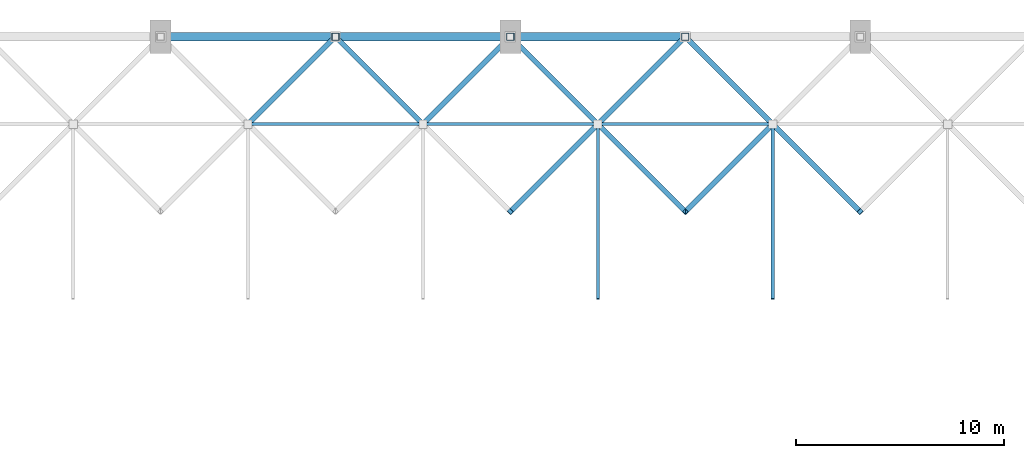
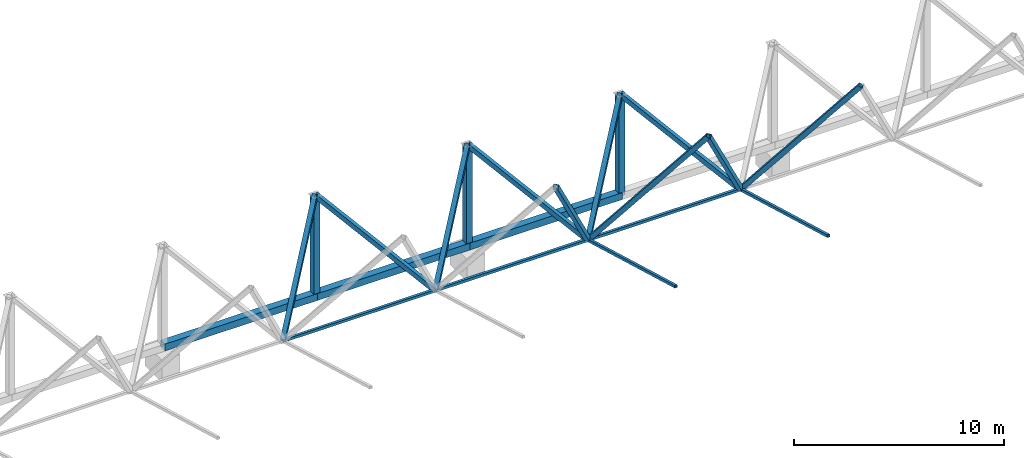
# One storey, part 58 of 163: 21 members.
"""IFC4 building model written with IfcOpenShell, lengths in metres."""

from ifc_helpers import new_model, si_unit, direction, frame, origin, origin_2d, place, context, subcontext, project, spatial, hollow_rectangle, extrude, material, material_profile, profile_set, type_object, element, save


model = new_model("IFC4")

# Units and contexts
model_context = context("Model", 3, precision=1e-05, world=origin(), true_north=direction((0.0, 1.0)))
body_context = subcontext(model_context, "Body", "Model", "MODEL_VIEW")
ifc_project = project(units=[si_unit("LENGTHUNIT", "METRE"), si_unit("AREAUNIT", "SQUARE_METRE"), si_unit("VOLUMEUNIT", "CUBIC_METRE"), si_unit("PLANEANGLEUNIT", "RADIAN"), si_unit("MASSUNIT", "GRAM", prefix="KILO")], contexts=[model_context])

# Site, building, storey
site_placement = place(None, origin())
site = spatial("IfcSite", under=ifc_project, at=site_placement, CompositionType="ELEMENT")
building_placement = place(site_placement, origin())
building = spatial("IfcBuilding", under=site, at=building_placement, Name="Rain Tree Exposition and Congress Centre", CompositionType="ELEMENT")
storey_placement = place(building_placement, frame((0.0, 0.0, 10.5)))
storey = spatial("IfcBuildingStorey", under=building, at=storey_placement, Name="L02", CompositionType="ELEMENT", Elevation=10.5)

# Members
ifc_material_1 = material(Name="Steel S355J2H", Category="steel")
ifc_material_profile_1 = material_profile(ifc_material_1, hollow_rectangle(XDim=0.25, YDim=0.25, WallThickness=0.006103515625, at=origin_2d()), Name="RHS 250x250x6")
ifc_profile_set_1 = profile_set([ifc_material_profile_1], Name="Steel S355J2H")
member_type_1 = type_object("IfcMemberType", Name="Steel brace member RHS 250x250x6", PredefinedType="BRACE", material=ifc_profile_set_1)
member_1_placement = place(storey_placement, frame((46.199951171875, 197.39990234375, 2.87353515625), z_axis=(0.564676675678, 0.564709499992, 0.601866623567), x_axis=(-0.707127332136, 0.70708622964, 0.0)))
element("IfcMember", 1, at=member_1_placement, inside=storey, type_object=member_type_1, Name="Diagonal 1299", PredefinedType="BRACE", context=body_context, shape_type="SweptSolid", body=[
    extrude(hollow_rectangle(XDim=0.25, YDim=0.25, WallThickness=0.006103515625, at=origin_2d()), origin(), (0.0, 0.0, 1.0), 7.437744140625),
])
member_2_placement = place(storey_placement, frame((54.60009765625, 197.39990234375, 2.87353515625), z_axis=(-0.564699033018, 0.564699033018, 0.60185546788), x_axis=(-0.707106781187, -0.707106781187, 0.0)))
element("IfcMember", 2, at=member_2_placement, inside=storey, type_object=member_type_1, Name="Diagonal 1303", PredefinedType="BRACE", context=body_context, shape_type="SweptSolid", body=[
    extrude(hollow_rectangle(XDim=0.25, YDim=0.25, WallThickness=0.006103515625, at=origin_2d()), origin(), (0.0, 0.0, 1.0), 7.43798828125),
])
member_3_placement = place(storey_placement, frame((54.60009765625, 197.39990234375, 2.87353515625), z_axis=(0.564676675678, 0.564709499992, 0.601866623567), x_axis=(-0.707127332136, 0.70708622964, 0.0)))
element("IfcMember", 3, at=member_3_placement, inside=storey, type_object=member_type_1, Name="Diagonal 1304", PredefinedType="BRACE", context=body_context, shape_type="SweptSolid", body=[
    extrude(hollow_rectangle(XDim=0.25, YDim=0.25, WallThickness=0.006103515625, at=origin_2d()), origin(), (0.0, 0.0, 1.0), 7.437744140625),
])
for number, where, z_axis, x_axis, name in (
    (4, (63.0, 197.39990234375, 2.87353515625), (-0.453966434812, -0.453966434812, 0.766700040517), (0.707106781187, -0.707106781187, 0.0), "Diagonal 1306"),
    (5, (63.0, 197.39990234375, 2.87353515625), (0.453966434812, -0.453966434812, 0.766700040517), (0.707106781187, 0.707106781187, 0.0), "Diagonal 1307"),
):
    element("IfcMember", number, at=place(storey_placement, frame(where, z_axis=z_axis, x_axis=x_axis)), inside=storey, type_object=member_type_1, Name=name, PredefinedType="BRACE", context=body_context, shape_type="SweptSolid", body=[
        extrude(hollow_rectangle(XDim=0.25, YDim=0.25, WallThickness=0.006103515625, at=origin_2d()), origin(), (0.0, 0.0, 1.0), 9.251708984375),
    ])
for number, where, z_axis, x_axis, name in (
    (6, (63.0, 197.39990234375, 2.87353515625), (-0.564676675678, 0.564709499992, 0.601866623567), (-0.707127332136, -0.70708622964, 0.0), "Diagonal 1308"),
    (7, (63.0, 197.39990234375, 2.87353515625), (0.564676675678, 0.564709499992, 0.601866623567), (-0.707127332136, 0.70708622964, 0.0), "Diagonal 1309"),
):
    element("IfcMember", number, at=place(storey_placement, frame(where, z_axis=z_axis, x_axis=x_axis)), inside=storey, type_object=member_type_1, Name=name, PredefinedType="BRACE", context=body_context, shape_type="SweptSolid", body=[
        extrude(hollow_rectangle(XDim=0.25, YDim=0.25, WallThickness=0.006103515625, at=origin_2d()), origin(), (0.0, 0.0, 1.0), 7.437744140625),
    ])
for number, where, z_axis, x_axis, name in (
    (8, (71.39990234375, 197.39990234375, 2.87353515625), (-0.453966434812, -0.453966434812, 0.766700040517), (0.707106781187, -0.707106781187, 0.0), "Diagonal 1311"),
    (9, (71.39990234375, 197.39990234375, 2.87353515625), (0.453987384881, -0.453960996403, 0.766690855635), (0.70708622964, 0.707127332136, 0.0), "Diagonal 1312"),
):
    element("IfcMember", number, at=place(storey_placement, frame(where, z_axis=z_axis, x_axis=x_axis)), inside=storey, type_object=member_type_1, Name=name, PredefinedType="BRACE", context=body_context, shape_type="SweptSolid", body=[
        extrude(hollow_rectangle(XDim=0.25, YDim=0.25, WallThickness=0.006103515625, at=origin_2d()), origin(), (0.0, 0.0, 1.0), 9.251708984375),
    ])
member_4_placement = place(storey_placement, frame((71.39990234375, 197.39990234375, 2.87353515625), z_axis=(-0.564676675678, 0.564709499992, 0.601866623567), x_axis=(-0.707127332136, -0.70708622964, 0.0)))
element("IfcMember", 10, at=member_4_placement, inside=storey, type_object=member_type_1, Name="Diagonal 1313", PredefinedType="BRACE", context=body_context, shape_type="SweptSolid", body=[
    extrude(hollow_rectangle(XDim=0.25, YDim=0.25, WallThickness=0.006103515625, at=origin_2d()), origin(), (0.0, 0.0, 1.0), 7.437744140625),
])
ifc_material_2 = material(Name="Steel S355J2H", Category="steel")
ifc_material_profile_2 = material_profile(ifc_material_2, hollow_rectangle(XDim=0.14990234375, YDim=0.14990234375, WallThickness=0.00439453125, at=origin_2d()), Name="RHS 150x150x4.5")
ifc_profile_set_2 = profile_set([ifc_material_profile_2], Name="Steel S355J2H")
member_type_2 = type_object("IfcMemberType", Name="Steel chord member RHS 150x150x4.5", PredefinedType="CHORD", material=ifc_profile_set_2)
for number, where, z_axis, x_axis, name in (
    (11, (63.0, 189.0, 5.232666015625), (0.0, 0.9627506985, -0.27039062953), (-1.0, 0.0, 0.0), "Bottom chord 1234"),
    (12, (71.39990234375, 189.0, 5.232666015625), (0.0, 0.9627506985, -0.27039062953), (-1.0, 0.0, 0.0), "Bottom chord 1240"),
):
    element("IfcMember", number, at=place(storey_placement, frame(where, z_axis=z_axis, x_axis=x_axis)), inside=storey, type_object=member_type_2, Name=name, PredefinedType="CHORD", context=body_context, shape_type="SweptSolid", body=[
        extrude(hollow_rectangle(XDim=0.14990234375, YDim=0.14990234375, WallThickness=0.00439453125, at=origin_2d()), origin(), (0.0, 0.0, 1.0), 8.724853515625),
    ])
member_5_placement = place(storey_placement, frame((46.199951171875, 197.39990234375, 2.87353515625), z_axis=(1.0, 0.0, 0.0), x_axis=(0.0, 1.0, 0.0)))
element("IfcMember", 13, at=member_5_placement, inside=storey, type_object=member_type_2, Name="Bottom chord 1300", PredefinedType="CHORD", context=body_context, shape_type="SweptSolid", body=[
    extrude(hollow_rectangle(XDim=0.14990234375, YDim=0.14990234375, WallThickness=0.00439453125, at=origin_2d()), origin(), (0.0, 0.0, 1.0), 8.400146484375),
])
for number, where, z_axis, x_axis, name in (
    (14, (54.60009765625, 197.39990234375, 2.87353515625), (1.0, 0.0, 0.0), (0.0, 1.0, 0.0), "Bottom chord 1305"),
    (15, (63.0, 197.39990234375, 2.87353515625), (1.0, 0.0, 0.0), (0.0, 1.0, 0.0), "Bottom chord 1310"),
):
    element("IfcMember", number, at=place(storey_placement, frame(where, z_axis=z_axis, x_axis=x_axis)), inside=storey, type_object=member_type_2, Name=name, PredefinedType="CHORD", context=body_context, shape_type="SweptSolid", body=[
        extrude(hollow_rectangle(XDim=0.14990234375, YDim=0.14990234375, WallThickness=0.00439453125, at=origin_2d()), origin(), (0.0, 0.0, 1.0), 8.39990234375),
    ])
ifc_material_3 = material(Name="Steel S355J2H", Category="steel")
ifc_material_profile_3 = material_profile(ifc_material_3, hollow_rectangle(XDim=0.39990234375, YDim=0.39990234375, WallThickness=0.011962890625, at=origin_2d()), Name="RHS 400x400x12")
ifc_profile_set_3 = profile_set([ifc_material_profile_3], Name="Steel S355J2H")
member_type_3 = type_object("IfcMemberType", Name="Steel chord member RHS 400x400x12", PredefinedType="CHORD", material=ifc_profile_set_3)
member_6_placement = place(storey_placement, frame((42.0, 201.60009765625, 1.5), z_axis=(1.0, 0.0, 0.0), x_axis=(0.0, 1.0, 0.0)))
element("IfcMember", 16, at=member_6_placement, inside=storey, type_object=member_type_3, Name="Eaves chord 1378", PredefinedType="CHORD", context=body_context, shape_type="SweptSolid", body=[
    extrude(hollow_rectangle(XDim=0.39990234375, YDim=0.39990234375, WallThickness=0.011962890625, at=origin_2d()), origin(), (0.0, 0.0, 1.0), 8.39990234375),
])
member_7_placement = place(storey_placement, frame((50.39990234375, 201.60009765625, 1.5), z_axis=(1.0, 0.0, 0.0), x_axis=(0.0, 1.0, 0.0)))
element("IfcMember", 17, at=member_7_placement, inside=storey, type_object=member_type_3, Name="Eaves chord 1379", PredefinedType="CHORD", context=body_context, shape_type="SweptSolid", body=[
    extrude(hollow_rectangle(XDim=0.39990234375, YDim=0.39990234375, WallThickness=0.011962890625, at=origin_2d()), origin(), (0.0, 0.0, 1.0), 8.400146484375),
])
member_8_placement = place(storey_placement, frame((58.800048828125, 201.60009765625, 1.5), z_axis=(1.0, 0.0, 0.0), x_axis=(0.0, 1.0, 0.0)))
element("IfcMember", 18, at=member_8_placement, inside=storey, type_object=member_type_3, Name="Eaves chord 1380", PredefinedType="CHORD", context=body_context, shape_type="SweptSolid", body=[
    extrude(hollow_rectangle(XDim=0.39990234375, YDim=0.39990234375, WallThickness=0.011962890625, at=origin_2d()), origin(), (0.0, 0.0, 1.0), 8.39990234375),
])
ifc_material_4 = material(Name="Steel S355J2H", Category="steel")
ifc_material_profile_4 = material_profile(ifc_material_4, hollow_rectangle(XDim=0.35009765625, YDim=0.35009765625, WallThickness=0.009033203125, at=origin_2d()), Name="RHS 350x350x9")
ifc_profile_set_4 = profile_set([ifc_material_profile_4], Name="Steel S355J2H")
member_type_4 = type_object("IfcMemberType", Name="Steel post member RHS 350x350x9", PredefinedType="POST", material=ifc_profile_set_4)
for number, where, z_axis, x_axis, name in (
    (19, (50.39990234375, 201.60009765625, 1.5), (0.0, 0.0, 1.0), (1.0, 0.0, 0.0), "Eaves post 1393"),
    (20, (58.800048828125, 201.60009765625, 1.5), (0.0, 0.0, 1.0), (1.0, 0.0, 0.0), "Eaves post 1394"),
    (21, (67.199951171875, 201.60009765625, 1.5), (0.0, 0.0, 1.0), (1.0, 0.0, 0.0), "Eaves post 1395"),
):
    element("IfcMember", number, at=place(storey_placement, frame(where, z_axis=z_axis, x_axis=x_axis)), inside=storey, type_object=member_type_4, Name=name, PredefinedType="POST", context=body_context, shape_type="SweptSolid", body=[
        extrude(hollow_rectangle(XDim=0.35009765625, YDim=0.35009765625, WallThickness=0.009033203125, at=origin_2d()), origin(), (0.0, 0.0, 1.0), 5.85009765625),
    ])

save(model, "model.ifc")
